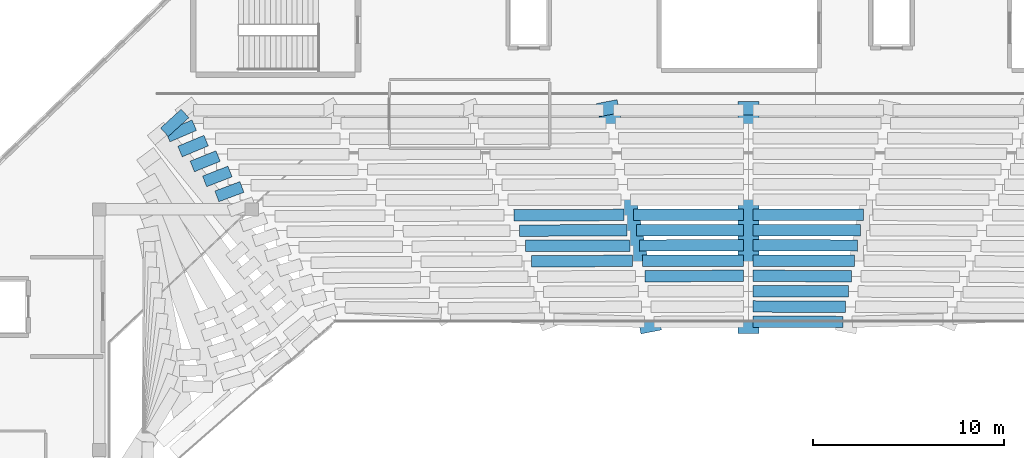
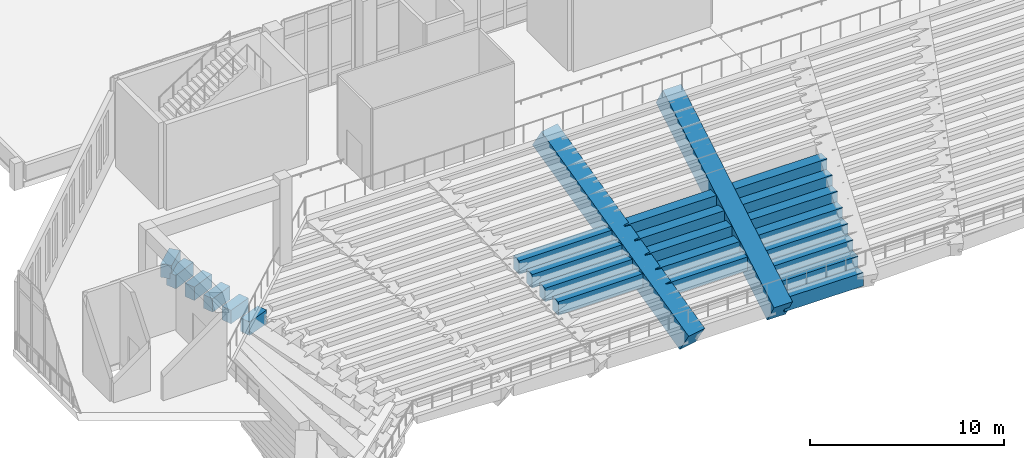
# One storey, part 21 of 55: 25 beams.
"""IFC4 building model written with IfcOpenShell, lengths in metres."""

import ifcopenshell
import ifcopenshell.guid

model = None  # the IFC model being written
_history = None  # IfcOwnerHistory: only IFC2X3 demands one
_inside = {}  # id of a spatial element -> (the spatial element, [elements in it])
_under = {}  # id of a project, library or spatial element -> (it, [spatial elements below it])
_declared = {}  # id of a project -> (the project, [libraries it declares])
_typed = {}  # id of a type object -> (the type object, [elements of that type])
_made_of = {}  # id of a material, layer set ... -> (it, [elements and type objects made of it])


def new_model(schema):
    """Start an empty IFC model of exactly this schema.

    Asked for "IFC4X3", IfcOpenShell would pick the latest addendum, in which some entities
    have other attributes; the version numbers below select the first issue.
    IFC2X3 requires an IfcOwnerHistory on every rooted entity: one is made here for all.
    """
    global model, _history
    if schema == "IFC4X3":
        model = ifcopenshell.file(schema_version=(4, 3, 0, 0))
    else:
        model = ifcopenshell.file(schema=schema)
    _inside.clear()
    _under.clear()
    _declared.clear()
    _typed.clear()
    _made_of.clear()
    _history = None
    if model.schema == "IFC2X3":
        org = make("IfcOrganization", Name="unknown")
        user = make(
            "IfcPersonAndOrganization",
            ThePerson=make("IfcPerson", FamilyName="unknown"),
            TheOrganization=org,
        )
        app = make(
            "IfcApplication",
            ApplicationDeveloper=org,
            Version="unknown",
            ApplicationFullName="unknown",
            ApplicationIdentifier="unknown",
        )
        _history = make(
            "IfcOwnerHistory",
            OwningUser=user,
            OwningApplication=app,
            ChangeAction="ADDED",
            CreationDate=0,
        )
    return model


def make(cls, **values):
    """One entity of the class cls with the attributes given. An attribute that is None is left unset."""
    return model.create_entity(
        cls, **{name: value for name, value in values.items() if value is not None}
    )


def rooted(cls, **values):
    """An entity with a GlobalId (a new one), such as an element, a storey or a relation."""
    return make(cls, GlobalId=ifcopenshell.guid.new(), OwnerHistory=_history, **values)


def si_unit(unit_type, name, prefix=None):
    """IfcSIUnit, for example si_unit("LENGTHUNIT", "METRE", prefix="MILLI")."""
    return make("IfcSIUnit", UnitType=unit_type, Prefix=prefix, Name=name)


def derived_unit(unit_type, elements):
    """IfcDerivedUnit: a product of units, each with its exponent."""
    return make(
        "IfcDerivedUnit",
        Elements=[
            make("IfcDerivedUnitElement", Unit=unit, Exponent=power)
            for unit, power in elements
        ],
        UnitType=unit_type,
    )


def assignment(units):
    """IfcUnitAssignment: the units of a project."""
    return None if units is None else make("IfcUnitAssignment", Units=units)


def point(xyz):
    """IfcCartesianPoint."""
    return None if xyz is None else make("IfcCartesianPoint", Coordinates=xyz)


def direction(xyz):
    """IfcDirection."""
    return None if xyz is None else make("IfcDirection", DirectionRatios=xyz)


def frame(location, z_axis=None, x_axis=None):
    """IfcAxis2Placement3D, a coordinate frame: its origin and axes. An axis left out is left unset."""
    return make(
        "IfcAxis2Placement3D",
        Location=point(location),
        Axis=direction(z_axis),
        RefDirection=direction(x_axis),
    )


def frame_2d(location, x_axis=None):
    """IfcAxis2Placement2D, a coordinate frame in the plane: its origin and x axis."""
    return make(
        "IfcAxis2Placement2D", Location=point(location), RefDirection=direction(x_axis)
    )


def origin():
    """The frame at (0, 0, 0) with its axes left unset."""
    return frame((0.0, 0.0, 0.0))


def origin_2d():
    """The frame at (0, 0) in the plane with its x axis left unset."""
    return frame_2d((0.0, 0.0))


def place(relative_to, where):
    """IfcLocalPlacement: puts the frame where relative to a parent placement (None: the world)."""
    return make(
        "IfcLocalPlacement", PlacementRelTo=relative_to, RelativePlacement=where
    )


def context(
    kind, dimensions, precision=None, world=None, true_north=None, identifier=None
):
    """IfcGeometricRepresentationContext, for example the 3D "Model" context."""
    return make(
        "IfcGeometricRepresentationContext",
        ContextIdentifier=identifier,
        ContextType=kind,
        CoordinateSpaceDimension=dimensions,
        Precision=precision,
        WorldCoordinateSystem=world,
        TrueNorth=true_north,
    )


def subcontext(parent, identifier, kind, view, scale=None):
    """IfcGeometricRepresentationSubContext, for example "Body" below "Model"."""
    return make(
        "IfcGeometricRepresentationSubContext",
        ContextIdentifier=identifier,
        ContextType=kind,
        ParentContext=parent,
        TargetScale=scale,
        TargetView=view,
    )


def project(units=None, contexts=None):
    """IfcProject with its units and contexts."""
    return rooted(
        "IfcProject",
        Name="project",
        RepresentationContexts=contexts,
        UnitsInContext=assignment(units),
    )


def spatial(cls, under=None, at=None, **own):
    """A site, building, storey or space (cls), placed at a placement, below another one or the project."""
    s = rooted(cls, ObjectPlacement=at, **own)
    if under is not None:
        _under.setdefault(under.id(), (under, []))[1].append(s)
    return s


def profile(cls, at=None, kind="AREA", **sizes):
    """A parametric profile (cls). Its sizes go by their IFC names, for example OverallWidth=200.0."""
    return make(cls, ProfileType=kind, Position=at, **sizes)


def rectangle(**sizes):
    """IfcRectangleProfileDef."""
    return profile("IfcRectangleProfileDef", **sizes)


def extrude(swept, where, along, depth):
    """IfcExtrudedAreaSolid: the profile swept, set in the frame where, extruded along a direction by depth."""
    return make(
        "IfcExtrudedAreaSolid",
        SweptArea=swept,
        Position=where,
        ExtrudedDirection=direction(along),
        Depth=depth,
    )


def shape(context_of_items, identifier, shape_type, items):
    """IfcShapeRepresentation: the items that make up one representation, for example the "Body"."""
    return make(
        "IfcShapeRepresentation",
        ContextOfItems=context_of_items,
        RepresentationIdentifier=identifier,
        RepresentationType=shape_type,
        Items=items,
    )


def material(Name=None, Category=None):
    """IfcMaterial."""
    return make("IfcMaterial", Name=Name, Category=Category)


def material_profile(
    of_material, cross_section, Name=None, Category=None, Priority=None
):
    """IfcMaterialProfile: a cross section and its material."""
    return make(
        "IfcMaterialProfile",
        Name=Name,
        Material=of_material,
        Profile=cross_section,
        Priority=Priority,
        Category=Category,
    )


def profile_set(profiles, Name=None, composite=None):
    """IfcMaterialProfileSet."""
    return make(
        "IfcMaterialProfileSet",
        Name=Name,
        MaterialProfiles=profiles,
        CompositeProfile=composite,
    )


def made_of(thing, what):
    """Note that an element or type object is made of a material, layer set ...; save() writes the relation."""
    if what is not None:
        _made_of.setdefault(what.id(), (what, []))[1].append(thing)
    return thing


def type_object(cls, material=None, **own):
    """A type object (cls), such as IfcWallType, which elements share."""
    return made_of(rooted(cls, **own), material)


def element(
    cls,
    number,
    at=None,
    inside=None,
    cuts=None,
    type_object=None,
    material=None,
    context=None,
    identifier="Body",
    shape_type=None,
    held_by="IfcProductDefinitionShape",
    body=None,
    shapes=None,
    **own,
):
    """One element of the class cls, such as IfcWall. Its Tag is "e" and its number.

    at: its placement. inside: the storey or other place that contains it. cuts: it is an
    opening in that element (IfcRelVoidsElement). A single representation is given by context,
    identifier, shape_type and body (its items); several are given by shapes. held_by: the class
    of the entity that holds the representations. save() writes the other relations.
    """
    e = rooted(cls, Tag="e%d" % number, ObjectPlacement=at, **own)
    if body is not None:
        shapes = [shape(context, identifier, shape_type, body)]
    if shapes is not None:
        e.Representation = make(held_by, Representations=shapes)
    if inside is not None:
        _inside.setdefault(inside.id(), (inside, []))[1].append(e)
    if cuts is not None:
        rooted(
            "IfcRelVoidsElement", RelatingBuildingElement=cuts, RelatedOpeningElement=e
        )
    if type_object is not None:
        _typed.setdefault(type_object.id(), (type_object, []))[1].append(e)
    return made_of(e, material)


def aggregate(whole, parts):
    """IfcRelAggregates: a whole, such as a stair, and the parts it consists of."""
    return rooted("IfcRelAggregates", RelatingObject=whole, RelatedObjects=parts)


def save(model, path):
    """Write the relations noted so far, then the file.

    IfcRelAggregates (storeys below a building ...), IfcRelContainedInSpatialStructure (elements
    in a storey), IfcRelDefinesByType, IfcRelAssociatesMaterial and IfcRelDeclares: one each for
    every whole, place, type object, material and project.
    """
    for whole, parts in _under.values():
        aggregate(whole, parts)
    for where, things in _inside.values():
        rooted(
            "IfcRelContainedInSpatialStructure",
            RelatedElements=things,
            RelatingStructure=where,
        )
    for kind, things in _typed.values():
        rooted("IfcRelDefinesByType", RelatedObjects=things, RelatingType=kind)
    for what, things in _made_of.values():
        rooted("IfcRelAssociatesMaterial", RelatedObjects=things, RelatingMaterial=what)
    for by, libraries in _declared.values():
        rooted("IfcRelDeclares", RelatingContext=by, RelatedDefinitions=libraries)
    model.write(path)


model = new_model("IFC4")

# Units and contexts
model_context = context("Model", 3, precision=1e-05, world=origin(), true_north=direction((0.0, 1.0)))
body_context = subcontext(model_context, "Body", "Model", "MODEL_VIEW")
ifc_project = project(units=[si_unit("LENGTHUNIT", "METRE"), si_unit("AREAUNIT", "SQUARE_METRE"), si_unit("VOLUMEUNIT", "CUBIC_METRE"), si_unit("PLANEANGLEUNIT", "RADIAN"), si_unit("MASSUNIT", "GRAM", prefix="KILO"), derived_unit("THERMALTRANSMITTANCEUNIT", [(si_unit("MASSUNIT", "GRAM", prefix="KILO"), 1), (si_unit("TIMEUNIT", "SECOND"), -3), (si_unit("THERMODYNAMICTEMPERATUREUNIT", "KELVIN"), -1)])], contexts=[model_context])

# Site, building, storey
site_placement = place(None, origin())
site = spatial("IfcSite", under=ifc_project, at=site_placement, CompositionType="ELEMENT")
building_placement = place(site_placement, origin())
building = spatial("IfcBuilding", under=site, at=building_placement, Name="Valcora Ridge Arena", CompositionType="ELEMENT")
storey_placement = place(building_placement, frame((0.0, 0.0, 21.0)))
storey = spatial("IfcBuildingStorey", under=building, at=storey_placement, Name="L04", CompositionType="ELEMENT", Elevation=21.0)

# Beams
ifc_material_1 = material(Name="Concrete C40/50", Category="concrete")
ifc_material_profile_1 = material_profile(ifc_material_1, rectangle(XDim=0.60009765625, YDim=0.85009765625, at=origin_2d()), Name="RC 600x850")
ifc_profile_set_1 = profile_set([ifc_material_profile_1], Name="Concrete C40/50")
beam_type_1 = type_object("IfcBeamType", Name="TY-BEAM-B-RC600-X", PredefinedType="BEAM", material=ifc_profile_set_1)
beam_1_placement = place(storey_placement, frame((62.941162109375, 89.706298828125, -8.22509765625), z_axis=(-0.999996196018, 0.002758251282, 0.0), x_axis=(-0.002758251282, -0.999996196018, 0.0)))
element("IfcBeam", 1, at=beam_1_placement, inside=storey, type_object=beam_type_1, Name="B-RC600-X BEM-RU3-B-RC600-X-0034", PredefinedType="BEAM", context=body_context, shape_type="SweptSolid", body=[
    extrude(rectangle(XDim=0.60009765625, YDim=0.85009765625, at=origin_2d()), origin(), (0.0, 0.0, 1.0), 4.691162109375),
])
beam_2_placement = place(storey_placement, frame((63.095703125, 90.50732421875, -7.7451171875), z_axis=(-0.99999695262, 0.002468755072, 0.0), x_axis=(-0.002468755072, -0.99999695262, 0.0)))
element("IfcBeam", 2, at=beam_2_placement, inside=storey, type_object=beam_type_1, Name="B-RC600-X BEM-RU3-B-RC600-X-0084", PredefinedType="BEAM", context=body_context, shape_type="SweptSolid", body=[
    extrude(rectangle(XDim=0.60009765625, YDim=0.85009765625, at=origin_2d()), origin(), (0.0, 0.0, 1.0), 4.845703125),
])
beam_3_placement = place(storey_placement, frame((63.25, 91.308349609375, -7.264892578125), z_axis=(-0.999997586021, 0.002197260321, 0.0), x_axis=(-0.002197260321, -0.999997586021, 0.0)))
element("IfcBeam", 3, at=beam_3_placement, inside=storey, type_object=beam_type_1, Name="B-RC600-X BEM-RU3-B-RC600-X-0135", PredefinedType="BEAM", context=body_context, shape_type="SweptSolid", body=[
    extrude(rectangle(XDim=0.60009765625, YDim=0.85009765625, at=origin_2d()), origin(), (0.0, 0.0, 1.0), 5.0),
])
for number, where, z_axis, x_axis, name in (
    (4, (63.404541015625, 92.109375, -6.784912109375), (-0.999998114456, 0.00194192785, 0.0), (-0.00194192785, -0.999998114456, 0.0), "B-RC600-X BEM-RU3-B-RC600-X-0185"),
    (5, (57.75, 92.119384765625, -6.784912109375), (-0.999998114456, -0.00194192785, 0.0), (0.00194192785, -0.999998114456, 0.0), "B-RC600-X BEM-RU3-B-RC600-X-0186"),
):
    element("IfcBeam", number, at=place(storey_placement, frame(where, z_axis=z_axis, x_axis=x_axis)), inside=storey, type_object=beam_type_1, Name=name, PredefinedType="BEAM", context=body_context, shape_type="SweptSolid", body=[
        extrude(rectangle(XDim=0.60009765625, YDim=0.85009765625, at=origin_2d()), origin(), (0.0, 0.0, 1.0), 5.154541015625),
    ])
for number, where, z_axis, x_axis, name in (
    (6, (63.55908203125, 92.91015625, -6.304931640625), (-0.999998391802, 0.001793430391, 0.0), (-0.001793430391, -0.999998391802, 0.0), "B-RC600-X BEM-RU3-B-RC600-X-0228"),
    (7, (57.75, 92.919677734375, -6.304931640625), (-0.999998391802, -0.001793430391, 0.0), (0.001793430391, -0.999998391802, 0.0), "B-RC600-X BEM-RU3-B-RC600-X-0229"),
):
    element("IfcBeam", number, at=place(storey_placement, frame(where, z_axis=z_axis, x_axis=x_axis)), inside=storey, type_object=beam_type_1, Name=name, PredefinedType="BEAM", context=body_context, shape_type="SweptSolid", body=[
        extrude(rectangle(XDim=0.60009765625, YDim=0.85009765625, at=origin_2d()), origin(), (0.0, 0.0, 1.0), 5.30908203125),
    ])
beam_4_placement = place(storey_placement, frame((51.94091796875, 92.90869140625, -6.304931640625), z_axis=(-0.999989385891, -0.004607396728, 0.0), x_axis=(0.004607396728, -0.999989385891, 0.0)))
element("IfcBeam", 8, at=beam_4_placement, inside=storey, type_object=beam_type_1, Name="B-RC600-X BEM-RU3-B-RC600-X-0230", PredefinedType="BEAM", context=body_context, shape_type="SweptSolid", body=[
    extrude(rectangle(XDim=0.60009765625, YDim=0.85009765625, at=origin_2d()), origin(), (0.0, 0.0, 1.0), 5.298828125),
])
for number, where, z_axis, x_axis, name in (
    (9, (63.71337890625, 93.711181640625, -5.824951171875), (-0.999998845791, 0.001519347607, 0.0), (-0.001519347607, -0.999998845791, 0.0), "B-RC600-X BEM-RU3-B-RC600-X-0266"),
    (10, (57.75, 93.719482421875, -5.824951171875), (-0.999998845791, -0.001519347607, 0.0), (0.001519347607, -0.999998845791, 0.0), "B-RC600-X BEM-RU3-B-RC600-X-0267"),
):
    element("IfcBeam", number, at=place(storey_placement, frame(where, z_axis=z_axis, x_axis=x_axis)), inside=storey, type_object=beam_type_1, Name=name, PredefinedType="BEAM", context=body_context, shape_type="SweptSolid", body=[
        extrude(rectangle(XDim=0.60009765625, YDim=0.85009765625, at=origin_2d()), origin(), (0.0, 0.0, 1.0), 5.46337890625),
    ])
beam_5_placement = place(storey_placement, frame((51.78662109375, 93.709716796875, -5.824951171875), z_axis=(-0.999992065133, -0.003983675475, 0.0), x_axis=(0.003983675475, -0.999992065133, 0.0)))
element("IfcBeam", 11, at=beam_5_placement, inside=storey, type_object=beam_type_1, Name="B-RC600-X BEM-RU3-B-RC600-X-0268", PredefinedType="BEAM", context=body_context, shape_type="SweptSolid", body=[
    extrude(rectangle(XDim=0.60009765625, YDim=0.85009765625, at=origin_2d()), origin(), (0.0, 0.0, 1.0), 5.454345703125),
])
for number, where, z_axis, x_axis, name in (
    (12, (63.867919921875, 94.51220703125, -5.344970703125), (-0.999999092552, 0.00134718056, 0.0), (-0.00134718056, -0.999999092552, 0.0), "B-RC600-X BEM-RU3-B-RC600-X-0298"),
    (13, (57.75, 94.519775390625, -5.344970703125), (-0.999999092552, -0.00134718056, 0.0), (0.00134718056, -0.999999092552, 0.0), "B-RC600-X BEM-RU3-B-RC600-X-0299"),
):
    element("IfcBeam", number, at=place(storey_placement, frame(where, z_axis=z_axis, x_axis=x_axis)), inside=storey, type_object=beam_type_1, Name=name, PredefinedType="BEAM", context=body_context, shape_type="SweptSolid", body=[
        extrude(rectangle(XDim=0.60009765625, YDim=0.85009765625, at=origin_2d()), origin(), (0.0, 0.0, 1.0), 5.617919921875),
    ])
beam_6_placement = place(storey_placement, frame((51.632080078125, 94.510986328125, -5.344970703125), z_axis=(-0.999993939317, -0.003481569986, 0.0), x_axis=(0.003481569986, -0.999993939317, 0.0)))
element("IfcBeam", 14, at=beam_6_placement, inside=storey, type_object=beam_type_1, Name="B-RC600-X BEM-RU3-B-RC600-X-0300", PredefinedType="BEAM", context=body_context, shape_type="SweptSolid", body=[
    extrude(rectangle(XDim=0.60009765625, YDim=0.85009765625, at=origin_2d()), origin(), (0.0, 0.0, 1.0), 5.60986328125),
])
for number, where, z_axis, x_axis, name in (
    (15, (64.0224609375, 95.313232421875, -4.864990234375), (-0.999999395391, 0.001099644065, 0.0), (-0.001099644065, -0.999999395391, 0.0), "B-RC600-X BEM-RU3-B-RC600-X-0329"),
    (16, (57.75, 95.319580078125, -4.864990234375), (-0.999999395391, -0.001099644065, 0.0), (0.001099644065, -0.999999395391, 0.0), "B-RC600-X BEM-RU3-B-RC600-X-0330"),
):
    element("IfcBeam", number, at=place(storey_placement, frame(where, z_axis=z_axis, x_axis=x_axis)), inside=storey, type_object=beam_type_1, Name=name, PredefinedType="BEAM", context=body_context, shape_type="SweptSolid", body=[
        extrude(rectangle(XDim=0.60009765625, YDim=0.85009765625, at=origin_2d()), origin(), (0.0, 0.0, 1.0), 5.7724609375),
    ])
beam_7_placement = place(storey_placement, frame((51.4775390625, 95.312255859375, -4.864990234375), z_axis=(-0.999995480318, -0.003006550036, 0.0), x_axis=(0.003006550036, -0.999995480318, 0.0)))
element("IfcBeam", 17, at=beam_7_placement, inside=storey, type_object=beam_type_1, Name="B-RC600-X BEM-RU3-B-RC600-X-0331", PredefinedType="BEAM", context=body_context, shape_type="SweptSolid", body=[
    extrude(rectangle(XDim=0.60009765625, YDim=0.85009765625, at=origin_2d()), origin(), (0.0, 0.0, 1.0), 5.765380859375),
])
beam_8_placement = place(storey_placement, frame((31.47705078125, 96.779052734375, -3.905029296875), z_axis=(-0.935877273716, -0.352326167837, 0.0), x_axis=(0.352326167837, -0.935877273716, 0.0)))
element("IfcBeam", 18, at=beam_8_placement, inside=storey, type_object=beam_type_1, Name="B-RC600-X BEM-RU3-B-RC600-X-0394", PredefinedType="BEAM", context=body_context, shape_type="SweptSolid", body=[
    extrude(rectangle(XDim=0.60009765625, YDim=0.85009765625, at=origin_2d()), origin(), (0.0, 0.0, 1.0), 1.401123046875),
])
beam_9_placement = place(storey_placement, frame((30.852783203125, 97.5869140625, -3.425048828125), z_axis=(-0.931763874775, -0.363064844986, 0.0), x_axis=(0.363064844986, -0.931763874775, 0.0)))
element("IfcBeam", 19, at=beam_9_placement, inside=storey, type_object=beam_type_1, Name="B-RC600-X BEM-RU3-B-RC600-X-0426", PredefinedType="BEAM", context=body_context, shape_type="SweptSolid", body=[
    extrude(rectangle(XDim=0.60009765625, YDim=0.85009765625, at=origin_2d()), origin(), (0.0, 0.0, 1.0), 1.42822265625),
])
beam_10_placement = place(storey_placement, frame((30.228515625, 98.39501953125, -2.945068359375), z_axis=(-0.927606532512, -0.373558724757, 0.0), x_axis=(0.373558724757, -0.927606532512, 0.0)))
element("IfcBeam", 20, at=beam_10_placement, inside=storey, type_object=beam_type_1, Name="B-RC600-X BEM-RU3-B-RC600-X-0458", PredefinedType="BEAM", context=body_context, shape_type="SweptSolid", body=[
    extrude(rectangle(XDim=0.60009765625, YDim=0.85009765625, at=origin_2d()), origin(), (0.0, 0.0, 1.0), 1.45556640625),
])
beam_11_placement = place(storey_placement, frame((29.604248046875, 99.203125, -2.465087890625), z_axis=(-0.923432099085, -0.383761851126, 0.0), x_axis=(0.383761851126, -0.923432099085, 0.0)))
element("IfcBeam", 21, at=beam_11_placement, inside=storey, type_object=beam_type_1, Name="B-RC600-X BEM-RU3-B-RC600-X-0490", PredefinedType="BEAM", context=body_context, shape_type="SweptSolid", body=[
    extrude(rectangle(XDim=0.60009765625, YDim=0.85009765625, at=origin_2d()), origin(), (0.0, 0.0, 1.0), 1.48291015625),
])
beam_12_placement = place(storey_placement, frame((28.97998046875, 100.01123046875, -1.985107421875), z_axis=(-0.919303790342, -0.393548651456, 0.0), x_axis=(0.393548651456, -0.919303790342, 0.0)))
element("IfcBeam", 22, at=beam_12_placement, inside=storey, type_object=beam_type_1, Name="B-RC600-X BEM-RU3-B-RC600-X-0522", PredefinedType="BEAM", context=body_context, shape_type="SweptSolid", body=[
    extrude(rectangle(XDim=0.60009765625, YDim=0.85009765625, at=origin_2d()), origin(), (0.0, 0.0, 1.0), 1.510498046875),
])
beam_13_placement = place(storey_placement, frame((28.49658203125, 100.626220703125, -1.5048828125), z_axis=(-0.738083531523, -0.674709345196, 0.0), x_axis=(0.674709345196, -0.738083531523, 0.0)))
element("IfcBeam", 23, at=beam_13_placement, inside=storey, type_object=beam_type_1, Name="B-RC600-X BEM-RU3-B-RC600-X-0554", PredefinedType="BEAM", context=body_context, shape_type="SweptSolid", body=[
    extrude(rectangle(XDim=0.60009765625, YDim=0.85009765625, at=origin_2d()), origin(), (0.0, 0.0, 1.0), 1.4599609375),
])
ifc_material_2 = material(Name="Concrete C45/55", Category="concrete")
ifc_material_profile_2 = material_profile(ifc_material_2, rectangle(XDim=1.10009765625, YDim=1.39990234375, at=origin_2d()), Name="RC 1100x1400")
ifc_profile_set_2 = profile_set([ifc_material_profile_2], Name="Concrete C45/55")
beam_type_2 = type_object("IfcBeamType", Name="TY-BEAM-RKR-UPP-1400", PredefinedType="USERDEFINED", material=ifc_profile_set_2)
beam_14_placement = place(storey_placement, frame((58.0, 89.449951171875, -8.52001953125), z_axis=(0.0, 0.861778764831, 0.507284299467), x_axis=(-1.0, 0.0, 0.0)))
element("IfcBeam", 24, at=beam_14_placement, inside=storey, type_object=beam_type_2, Name="RKR-UPP-1400 BEM-RK-RKR-UPP-1400-0035", ObjectType="RAKER", PredefinedType="USERDEFINED", context=body_context, shape_type="SweptSolid", body=[
    extrude(rectangle(XDim=1.10009765625, YDim=1.39990234375, at=origin_2d()), origin(), (0.0, 0.0, 1.0), 13.286376953125),
])
beam_15_placement = place(storey_placement, frame((52.8427734375, 89.530517578125, -8.52001953125), z_axis=(-0.163674872432, 0.848605559372, 0.503069717571), x_axis=(-0.981902980966, -0.189384624429, 0.0)))
element("IfcBeam", 25, at=beam_15_placement, inside=storey, type_object=beam_type_2, Name="RKR-UPP-1400 BEM-RK-RKR-UPP-1400-0036", ObjectType="RAKER", PredefinedType="USERDEFINED", context=body_context, shape_type="SweptSolid", body=[
    extrude(rectangle(XDim=1.10009765625, YDim=1.39990234375, at=origin_2d()), origin(), (0.0, 0.0, 1.0), 13.397705078125),
])

save(model, "model.ifc")
